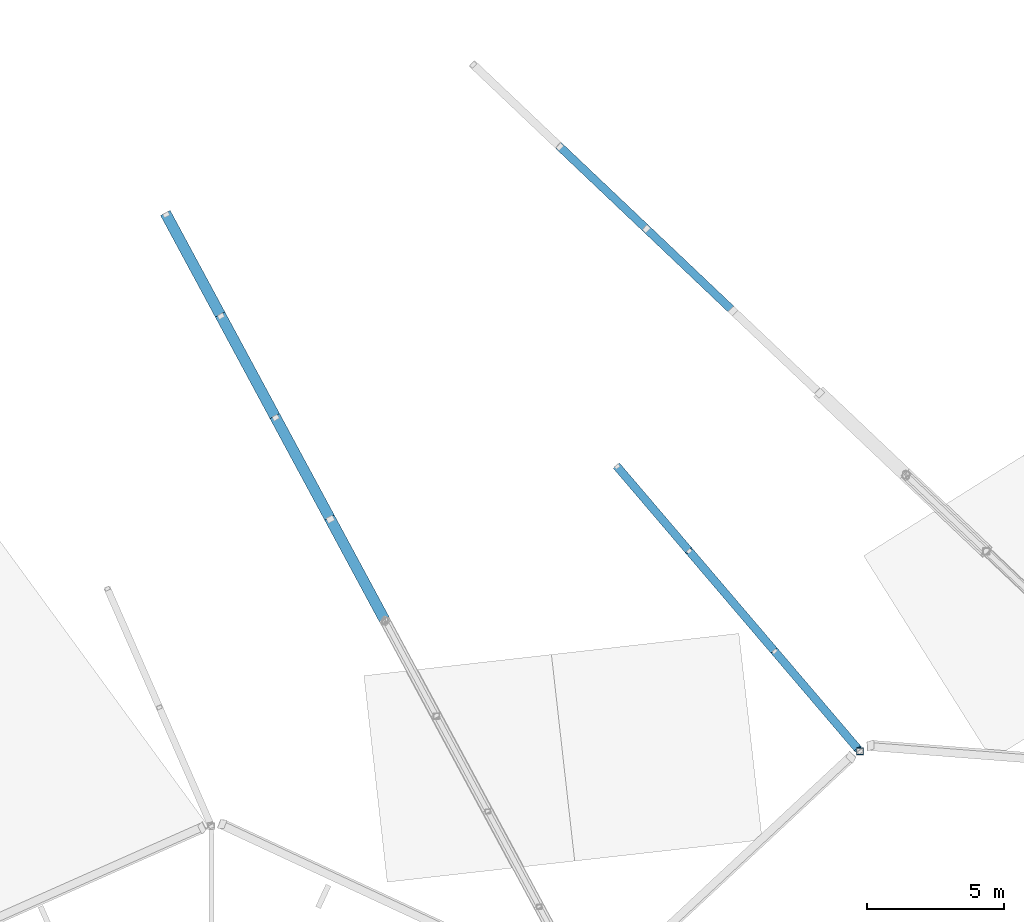
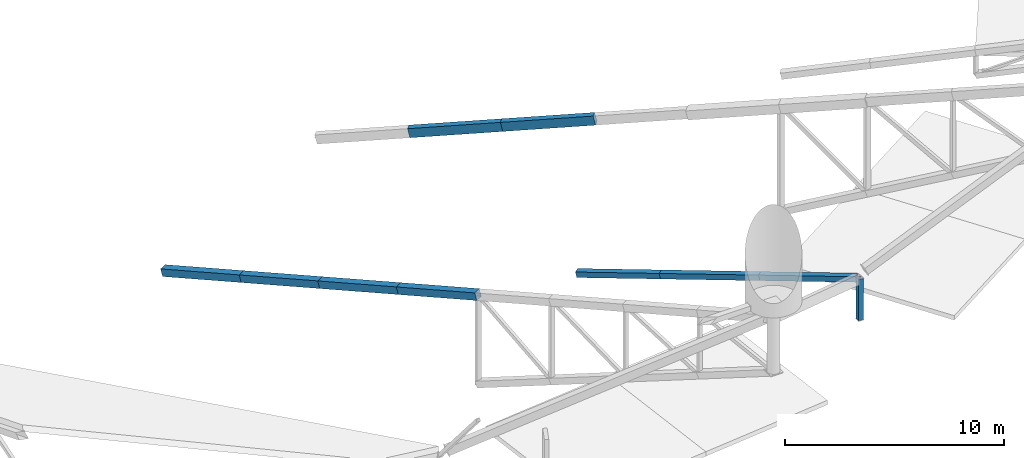
# One storey, part 43 of 188: 10 members.
"""IFC4 building model written with IfcOpenShell, lengths in metres."""

from ifc_helpers import new_model, si_unit, direction, frame, origin, origin_2d, place, context, subcontext, project, spatial, hollow_rectangle, extrude, material, material_profile, profile_set, type_object, element, save


model = new_model("IFC4")

# Units and contexts
model_context = context("Model", 3, precision=1e-05, world=origin(), true_north=direction((0.0, 1.0)))
body_context = subcontext(model_context, "Body", "Model", "MODEL_VIEW")
ifc_project = project(units=[si_unit("LENGTHUNIT", "METRE"), si_unit("AREAUNIT", "SQUARE_METRE"), si_unit("VOLUMEUNIT", "CUBIC_METRE"), si_unit("PLANEANGLEUNIT", "RADIAN"), si_unit("MASSUNIT", "GRAM", prefix="KILO")], contexts=[model_context])

# Site, building, storey
site_placement = place(None, origin())
site = spatial("IfcSite", under=ifc_project, at=site_placement, CompositionType="ELEMENT")
building_placement = place(site_placement, origin())
building = spatial("IfcBuilding", under=site, at=building_placement, Name="Meseta Stadium", CompositionType="ELEMENT")
storey_placement = place(building_placement, frame((0.0, 0.0, 30.0)))
storey = spatial("IfcBuildingStorey", under=building, at=storey_placement, Name="ROOF", CompositionType="ELEMENT", Elevation=30.0)

# Members
ifc_material_1 = material(Name="Steel S355", Category="steel")
ifc_material_profile_1 = material_profile(ifc_material_1, hollow_rectangle(XDim=0.300048828125, YDim=0.5, WallThickness=0.01611328125, at=origin_2d()), Name="RHS 500x300x16")
ifc_profile_set_1 = profile_set([ifc_material_profile_1], Name="Steel S355")
member_type_1 = type_object("IfcMemberType", Name="RHS 500x300x16 top chord", PredefinedType="CHORD", material=ifc_profile_set_1)
for number, where, z_axis, x_axis, name in (
    (1, (51.068603515625, -73.761474609375, 2.216552734375), (0.704901620819, -0.668533981093, 0.237014811967), (0.688141870449, 0.725576161499, 0.0), "ROOF TRUSS RT-52 top chord"),
    (2, (54.234375, -76.763916015625, 3.281005859375), (0.704865185934, -0.668550983851, 0.237075202519), (0.688169809663, 0.725549662717, 0.0), "ROOF TRUSS RT-52 top chord"),
):
    element("IfcMember", number, at=place(storey_placement, frame(where, z_axis=z_axis, x_axis=x_axis)), inside=storey, type_object=member_type_1, Name=name, PredefinedType="CHORD", context=body_context, shape_type="SweptSolid", body=[
        extrude(hollow_rectangle(XDim=0.300048828125, YDim=0.5, WallThickness=0.01611328125, at=origin_2d()), origin(), (0.0, 0.0, 1.0), 4.490966796875),
    ])
ifc_material_2 = material(Name="Steel S355", Category="steel")
ifc_material_profile_2 = material_profile(ifc_material_2, hollow_rectangle(XDim=0.25, YDim=0.25, WallThickness=0.010009765625, at=origin_2d()), Name="SHS 250x250x10")
ifc_profile_set_2 = profile_set([ifc_material_profile_2], Name="Steel S355")
member_type_2 = type_object("IfcMemberType", Name="SHS 250x250x10 rim post", PredefinedType="POST", material=ifc_profile_set_2)
member_1_placement = place(storey_placement, frame((62.051513671875, -95.872802734375, 1.31591796875), z_axis=(0.0, 0.0, 1.0), x_axis=(1.0, 0.0, 0.0)))
element("IfcMember", 3, at=member_1_placement, inside=storey, type_object=member_type_2, Name="ROOF TRUSS RT-51 post", PredefinedType="POST", context=body_context, shape_type="SweptSolid", body=[
    extrude(hollow_rectangle(XDim=0.25, YDim=0.25, WallThickness=0.010009765625, at=origin_2d()), origin(), (0.0, 0.0, 1.0), 2.300048828125),
])
ifc_material_3 = material(Name="Steel S355", Category="steel")
ifc_material_profile_3 = material_profile(ifc_material_3, hollow_rectangle(XDim=0.300048828125, YDim=0.300048828125, WallThickness=0.010009765625, at=origin_2d()), Name="SHS 300x300x10")
ifc_profile_set_3 = profile_set([ifc_material_profile_3], Name="Steel S355")
member_type_3 = type_object("IfcMemberType", Name="SHS 300x300x10 top chord", PredefinedType="CHORD", material=ifc_profile_set_3)
member_2_placement = place(storey_placement, frame((53.164794921875, -85.452392578125, 0.67333984375), z_axis=(0.634431456669, -0.74389322208, 0.210046663703), x_axis=(0.760867131587, 0.648907703816, 0.0)))
element("IfcMember", 4, at=member_2_placement, inside=storey, type_object=member_type_3, Name="ROOF TRUSS RT-51 top chord", PredefinedType="CHORD", context=body_context, shape_type="SweptSolid", body=[
    extrude(hollow_rectangle(XDim=0.300048828125, YDim=0.300048828125, WallThickness=0.010009765625, at=origin_2d()), origin(), (0.0, 0.0, 1.0), 4.153076171875),
])
member_3_placement = place(storey_placement, frame((55.799560546875, -88.541748046875, 1.545654296875), z_axis=(0.634405621934, -0.743905498885, 0.210081211887), x_axis=(0.760885465409, 0.648886206148, 0.0)))
element("IfcMember", 5, at=member_3_placement, inside=storey, type_object=member_type_3, Name="ROOF TRUSS RT-51 top chord", PredefinedType="CHORD", context=body_context, shape_type="SweptSolid", body=[
    extrude(hollow_rectangle(XDim=0.300048828125, YDim=0.300048828125, WallThickness=0.010009765625, at=origin_2d()), origin(), (0.0, 0.0, 1.0), 4.927490234375),
])
member_4_placement = place(storey_placement, frame((58.925537109375, -92.207275390625, 2.580810546875), z_axis=(0.634399105865, -0.743902725869, 0.21011070635), x_axis=(0.760887561781, 0.64888374793, 0.0)))
element("IfcMember", 6, at=member_4_placement, inside=storey, type_object=member_type_3, Name="ROOF TRUSS RT-51 top chord", PredefinedType="CHORD", context=body_context, shape_type="SweptSolid", body=[
    extrude(hollow_rectangle(XDim=0.300048828125, YDim=0.300048828125, WallThickness=0.010009765625, at=origin_2d()), origin(), (0.0, 0.0, 1.0), 4.802490234375),
])
ifc_material_4 = material(Name="Steel S355", Category="steel")
ifc_material_profile_4 = material_profile(ifc_material_4, hollow_rectangle(XDim=0.39990234375, YDim=0.39990234375, WallThickness=0.010009765625, at=origin_2d()), Name="SHS 400x400x10")
ifc_profile_set_4 = profile_set([ifc_material_profile_4], Name="Steel S355")
member_type_4 = type_object("IfcMemberType", Name="SHS 400x400x10 top chord", PredefinedType="CHORD", material=ifc_profile_set_4)
member_5_placement = place(storey_placement, frame((36.682373046875, -76.239013671875, 0.993896484375), z_axis=(0.455643802198, -0.845933421341, 0.277101736151), x_axis=(0.880409753132, 0.474213735134, 0.0)))
element("IfcMember", 7, at=member_5_placement, inside=storey, type_object=member_type_4, Name="ROOF TRUSS RT-50 top chord", PredefinedType="CHORD", context=body_context, shape_type="SweptSolid", body=[
    extrude(hollow_rectangle(XDim=0.39990234375, YDim=0.39990234375, WallThickness=0.010009765625, at=origin_2d()), origin(), (0.0, 0.0, 1.0), 4.389404296875),
])
for number, where, z_axis, x_axis, name in (
    (8, (38.682373046875, -79.9521484375, 2.210205078125), (0.455658217472, -0.845904561928, 0.277166125203), (0.880396734491, 0.474237904324, 0.0), "ROOF TRUSS RT-50 top chord"),
    (9, (40.682373046875, -83.6650390625, 3.4267578125), (0.455658217472, -0.845904561928, 0.277166125203), (0.880396734491, 0.474237904324, 0.0), "ROOF TRUSS RT-50 top chord"),
):
    element("IfcMember", number, at=place(storey_placement, frame(where, z_axis=z_axis, x_axis=x_axis)), inside=storey, type_object=member_type_4, Name=name, PredefinedType="CHORD", context=body_context, shape_type="SweptSolid", body=[
        extrude(hollow_rectangle(XDim=0.39990234375, YDim=0.39990234375, WallThickness=0.010009765625, at=origin_2d()), origin(), (0.0, 0.0, 1.0), 4.38916015625),
    ])
ifc_material_5 = material(Name="Steel S355", Category="steel")
ifc_material_profile_5 = material_profile(ifc_material_5, hollow_rectangle(XDim=0.39990234375, YDim=0.39990234375, WallThickness=0.01416015625, at=origin_2d()), Name="SHS 400x400x14.2")
ifc_profile_set_5 = profile_set([ifc_material_profile_5], Name="Steel S355")
member_type_5 = type_object("IfcMemberType", Name="SHS 400x400x14.2 top chord", PredefinedType="CHORD", material=ifc_profile_set_5)
member_6_placement = place(storey_placement, frame((42.682373046875, -87.3779296875, 4.643310546875), z_axis=(0.455702289582, -0.845883122172, 0.277159100328), x_axis=(0.880372563769, 0.474282773209, 0.0)))
element("IfcMember", 10, at=member_6_placement, inside=storey, type_object=member_type_5, Name="ROOF TRUSS RT-50 top chord", PredefinedType="CHORD", context=body_context, shape_type="SweptSolid", body=[
    extrude(hollow_rectangle(XDim=0.39990234375, YDim=0.39990234375, WallThickness=0.01416015625, at=origin_2d()), origin(), (0.0, 0.0, 1.0), 4.389404296875),
])

save(model, "model.ifc")
